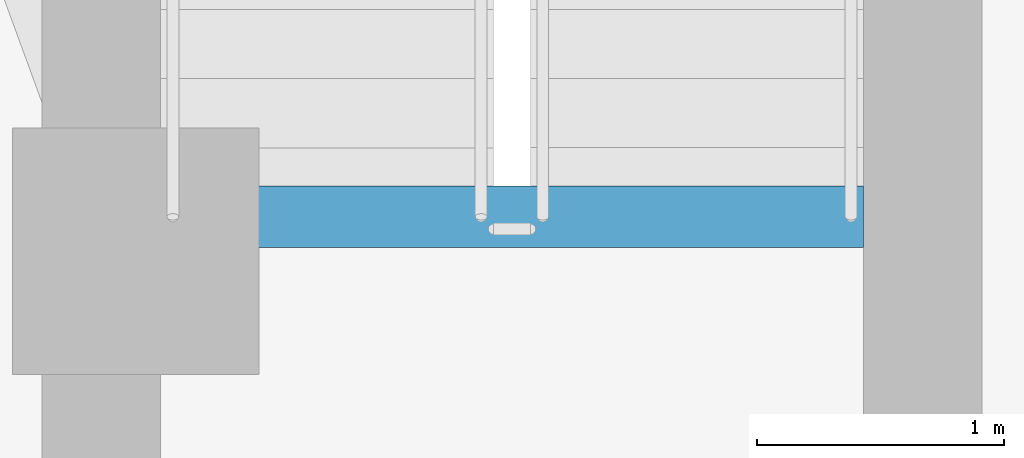
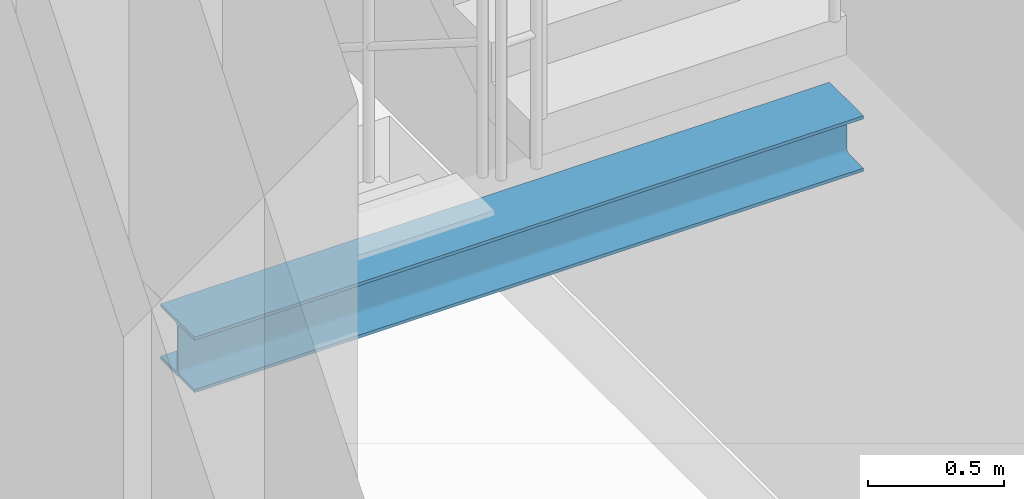
# One storey, part 3 of 14: 1 beam.
"""IFC4 building model written with IfcOpenShell, lengths in metres."""

from ifc_helpers import new_model, si_unit, direction, frame, origin, origin_2d, place, context, subcontext, project, spatial, i_section, extrude, material, material_profile, profile_set, type_object, element, save


model = new_model("IFC4")

# Units and contexts
model_context = context("Model", 3, precision=1e-05, world=origin(), true_north=direction((0.0, 1.0)))
body_context = subcontext(model_context, "Body", "Model", "MODEL_VIEW")
ifc_project = project(units=[si_unit("LENGTHUNIT", "METRE"), si_unit("AREAUNIT", "SQUARE_METRE"), si_unit("VOLUMEUNIT", "CUBIC_METRE"), si_unit("PLANEANGLEUNIT", "RADIAN"), si_unit("MASSUNIT", "GRAM", prefix="KILO")], contexts=[model_context])

# Site, building, storey
site_placement = place(None, origin())
site = spatial("IfcSite", under=ifc_project, at=site_placement, CompositionType="ELEMENT")
building_placement = place(site_placement, origin())
building = spatial("IfcBuilding", under=site, at=building_placement, Name="Miruveldt Soraemaru", CompositionType="ELEMENT")
storey_placement = place(building_placement, frame((0.0, 0.0, 189.800048828125)))
storey = spatial("IfcBuildingStorey", under=building, at=storey_placement, Name="L52", CompositionType="ELEMENT", Elevation=189.800048828125)

# Beam
ifc_material = material(Name="Steel SM355 (355 MPa)", Category="steel")
ifc_material_profile = material_profile(ifc_material, i_section(OverallWidth=0.25, OverallDepth=0.25, WebThickness=0.009033203125, FlangeThickness=0.013916015625, FilletRadius=0.01611328125, at=origin_2d()), Name="Steel SM355 (355 MPa)", Category="steel")
ifc_profile_set = profile_set([ifc_material_profile], Name="Steel SM355 (355 MPa)")
beam_type = type_object("IfcBeamType", Name="BM-ST-LND250", PredefinedType="BEAM", material=ifc_profile_set)
beam_placement = place(storey_placement, frame((35.60009765625, 39.340087890625, 1.974853515625), z_axis=(1.0, 0.0, 0.0), x_axis=(0.0, 1.0, 0.0)))
element("IfcBeam", 1, at=beam_placement, inside=storey, type_object=beam_type, Name="L52 ST1 Landing Support Beam 1A", PredefinedType="BEAM", context=body_context, shape_type="SweptSolid", body=[
    extrude(i_section(OverallWidth=0.25, OverallDepth=0.25, WebThickness=0.009033203125, FlangeThickness=0.013916015625, FilletRadius=0.01611328125, at=origin_2d()), origin(), (0.0, 0.0, 1.0), 2.849853515625),
])

save(model, "model.ifc")
